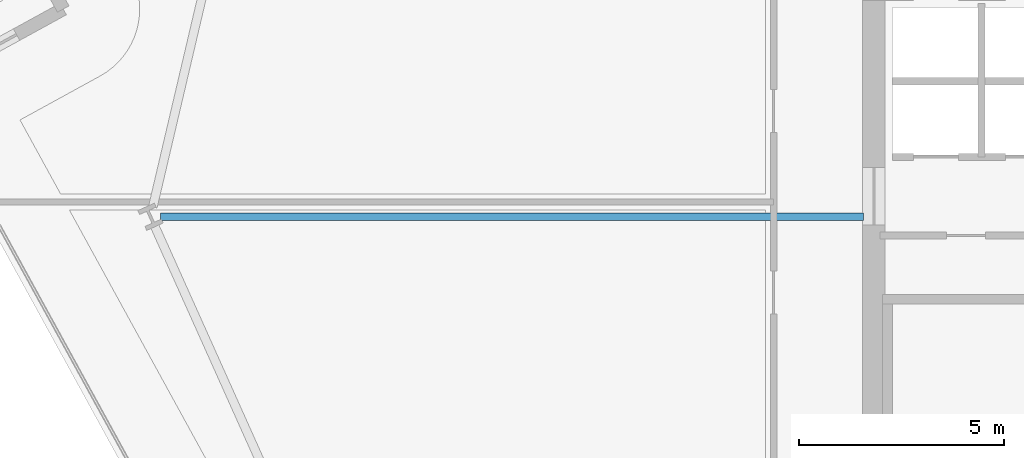
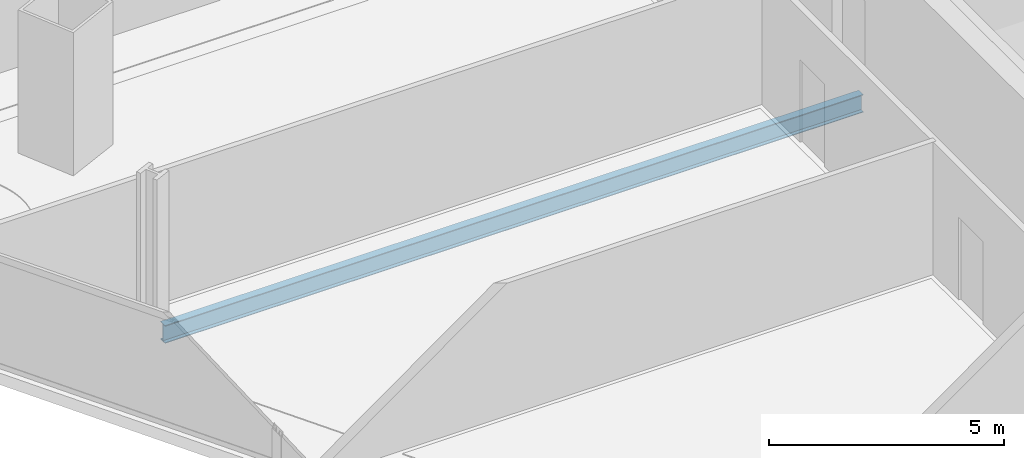
# One storey, part 13 of 33: 1 beam.
"""IFC4 building model written with IfcOpenShell, lengths in metres."""

from ifc_helpers import new_model, si_unit, direction, frame, origin, origin_2d, place, context, subcontext, project, spatial, i_section, extrude, material, material_profile, profile_set, type_object, element, save


model = new_model("IFC4")

# Units and contexts
model_context = context("Model", 3, precision=1e-05, world=origin(), true_north=direction((0.0, 1.0)))
body_context = subcontext(model_context, "Body", "Model", "MODEL_VIEW")
ifc_project = project(units=[si_unit("LENGTHUNIT", "METRE"), si_unit("AREAUNIT", "SQUARE_METRE"), si_unit("VOLUMEUNIT", "CUBIC_METRE"), si_unit("PLANEANGLEUNIT", "RADIAN"), si_unit("MASSUNIT", "GRAM", prefix="KILO")], contexts=[model_context])

# Site, building, storey
site_placement = place(None, origin())
site = spatial("IfcSite", under=ifc_project, at=site_placement, CompositionType="ELEMENT")
building_placement = place(site_placement, origin())
building = spatial("IfcBuilding", under=site, at=building_placement, Name="Haldenkirk Collegiate Tower", CompositionType="ELEMENT")
storey_placement = place(building_placement, frame((0.0, 0.0, 124.199951171875)))
storey = spatial("IfcBuildingStorey", under=building, at=storey_placement, Name="L30", CompositionType="ELEMENT", Elevation=124.199951171875)

# Beam
ifc_material = material(Name="Steel ASTM A992 Grade 50", Category="steel")
ifc_material_profile = material_profile(ifc_material, i_section(OverallWidth=0.19189453125, OverallDepth=0.462890625, WebThickness=0.010498046875, FlangeThickness=0.017578125, at=origin_2d()), Name="W18X60")
ifc_profile_set = profile_set([ifc_material_profile], Name="Steel ASTM A992 Grade 50")
beam_type = type_object("IfcBeamType", Name="BM-JOIST-W18X60", PredefinedType="JOIST", material=ifc_profile_set)
beam_placement = place(storey_placement, frame((9.563232421875, 28.436767578125, -0.531494140625), z_axis=(1.0, 0.0, 0.0), x_axis=(0.0, 1.0, 0.0)))
element("IfcBeam", 1, at=beam_placement, inside=storey, type_object=beam_type, Name="L30 composite floor joist 14", PredefinedType="JOIST", context=body_context, shape_type="SweptSolid", body=[
    extrude(i_section(OverallWidth=0.19189453125, OverallDepth=0.462890625, WebThickness=0.010498046875, FlangeThickness=0.017578125, at=origin_2d()), origin(), (0.0, 0.0, 1.0), 17.181884765625),
])

save(model, "model.ifc")
